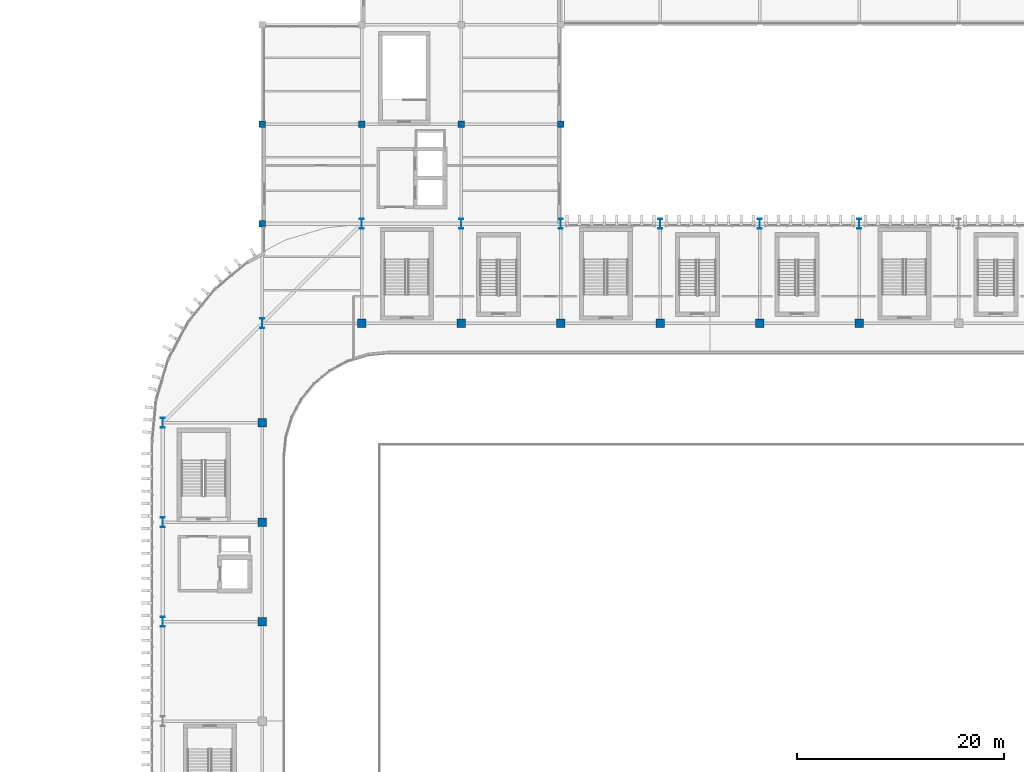
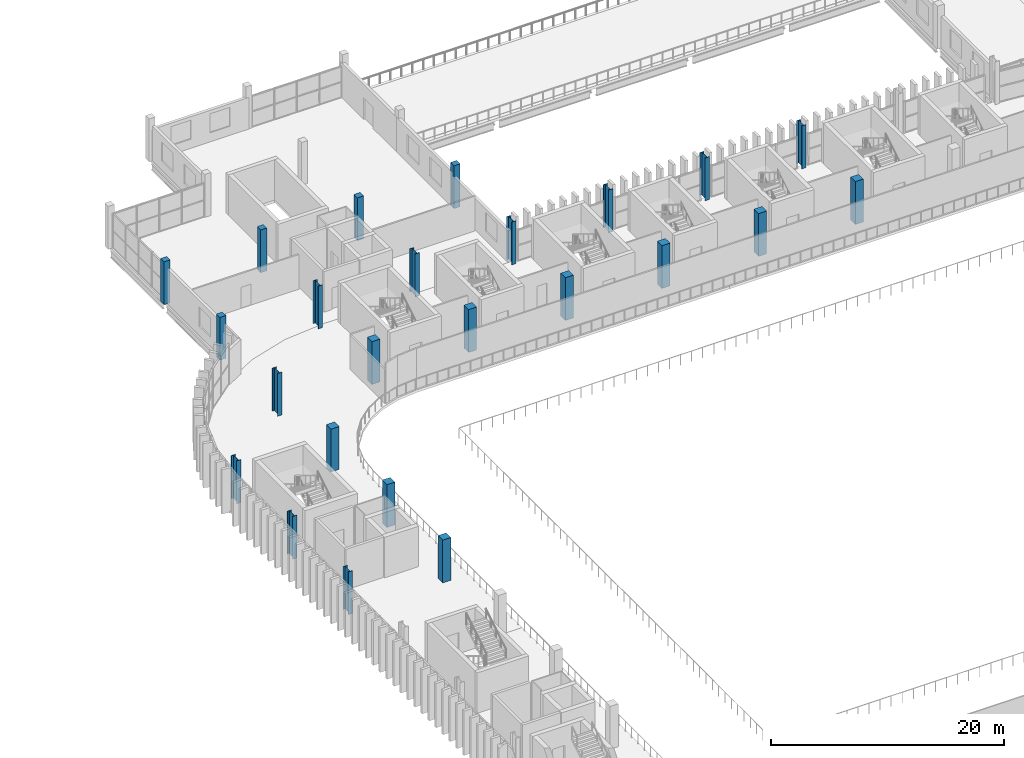
# One storey, part 2 of 75: 24 columns.
"""IFC4 building model written with IfcOpenShell, lengths in metres."""

import ifcopenshell
import ifcopenshell.guid

model = None  # the IFC model being written
_history = None  # IfcOwnerHistory: only IFC2X3 demands one
_inside = {}  # id of a spatial element -> (the spatial element, [elements in it])
_under = {}  # id of a project, library or spatial element -> (it, [spatial elements below it])
_declared = {}  # id of a project -> (the project, [libraries it declares])
_typed = {}  # id of a type object -> (the type object, [elements of that type])
_made_of = {}  # id of a material, layer set ... -> (it, [elements and type objects made of it])


def new_model(schema):
    """Start an empty IFC model of exactly this schema.

    Asked for "IFC4X3", IfcOpenShell would pick the latest addendum, in which some entities
    have other attributes; the version numbers below select the first issue.
    IFC2X3 requires an IfcOwnerHistory on every rooted entity: one is made here for all.
    """
    global model, _history
    if schema == "IFC4X3":
        model = ifcopenshell.file(schema_version=(4, 3, 0, 0))
    else:
        model = ifcopenshell.file(schema=schema)
    _inside.clear()
    _under.clear()
    _declared.clear()
    _typed.clear()
    _made_of.clear()
    _history = None
    if model.schema == "IFC2X3":
        org = make("IfcOrganization", Name="unknown")
        user = make(
            "IfcPersonAndOrganization",
            ThePerson=make("IfcPerson", FamilyName="unknown"),
            TheOrganization=org,
        )
        app = make(
            "IfcApplication",
            ApplicationDeveloper=org,
            Version="unknown",
            ApplicationFullName="unknown",
            ApplicationIdentifier="unknown",
        )
        _history = make(
            "IfcOwnerHistory",
            OwningUser=user,
            OwningApplication=app,
            ChangeAction="ADDED",
            CreationDate=0,
        )
    return model


def make(cls, **values):
    """One entity of the class cls with the attributes given. An attribute that is None is left unset."""
    return model.create_entity(
        cls, **{name: value for name, value in values.items() if value is not None}
    )


def rooted(cls, **values):
    """An entity with a GlobalId (a new one), such as an element, a storey or a relation."""
    return make(cls, GlobalId=ifcopenshell.guid.new(), OwnerHistory=_history, **values)


def si_unit(unit_type, name, prefix=None):
    """IfcSIUnit, for example si_unit("LENGTHUNIT", "METRE", prefix="MILLI")."""
    return make("IfcSIUnit", UnitType=unit_type, Prefix=prefix, Name=name)


def assignment(units):
    """IfcUnitAssignment: the units of a project."""
    return None if units is None else make("IfcUnitAssignment", Units=units)


def point(xyz):
    """IfcCartesianPoint."""
    return None if xyz is None else make("IfcCartesianPoint", Coordinates=xyz)


def direction(xyz):
    """IfcDirection."""
    return None if xyz is None else make("IfcDirection", DirectionRatios=xyz)


def frame(location, z_axis=None, x_axis=None):
    """IfcAxis2Placement3D, a coordinate frame: its origin and axes. An axis left out is left unset."""
    return make(
        "IfcAxis2Placement3D",
        Location=point(location),
        Axis=direction(z_axis),
        RefDirection=direction(x_axis),
    )


def frame_2d(location, x_axis=None):
    """IfcAxis2Placement2D, a coordinate frame in the plane: its origin and x axis."""
    return make(
        "IfcAxis2Placement2D", Location=point(location), RefDirection=direction(x_axis)
    )


def origin():
    """The frame at (0, 0, 0) with its axes left unset."""
    return frame((0.0, 0.0, 0.0))


def origin_2d():
    """The frame at (0, 0) in the plane with its x axis left unset."""
    return frame_2d((0.0, 0.0))


def place(relative_to, where):
    """IfcLocalPlacement: puts the frame where relative to a parent placement (None: the world)."""
    return make(
        "IfcLocalPlacement", PlacementRelTo=relative_to, RelativePlacement=where
    )


def context(
    kind, dimensions, precision=None, world=None, true_north=None, identifier=None
):
    """IfcGeometricRepresentationContext, for example the 3D "Model" context."""
    return make(
        "IfcGeometricRepresentationContext",
        ContextIdentifier=identifier,
        ContextType=kind,
        CoordinateSpaceDimension=dimensions,
        Precision=precision,
        WorldCoordinateSystem=world,
        TrueNorth=true_north,
    )


def subcontext(parent, identifier, kind, view, scale=None):
    """IfcGeometricRepresentationSubContext, for example "Body" below "Model"."""
    return make(
        "IfcGeometricRepresentationSubContext",
        ContextIdentifier=identifier,
        ContextType=kind,
        ParentContext=parent,
        TargetScale=scale,
        TargetView=view,
    )


def project(units=None, contexts=None):
    """IfcProject with its units and contexts."""
    return rooted(
        "IfcProject",
        Name="project",
        RepresentationContexts=contexts,
        UnitsInContext=assignment(units),
    )


def spatial(cls, under=None, at=None, **own):
    """A site, building, storey or space (cls), placed at a placement, below another one or the project."""
    s = rooted(cls, ObjectPlacement=at, **own)
    if under is not None:
        _under.setdefault(under.id(), (under, []))[1].append(s)
    return s


def profile(cls, at=None, kind="AREA", **sizes):
    """A parametric profile (cls). Its sizes go by their IFC names, for example OverallWidth=200.0."""
    return make(cls, ProfileType=kind, Position=at, **sizes)


def rectangle(**sizes):
    """IfcRectangleProfileDef."""
    return profile("IfcRectangleProfileDef", **sizes)


def i_section(**sizes):
    """IfcIShapeProfileDef."""
    return profile("IfcIShapeProfileDef", **sizes)


def extrude(swept, where, along, depth):
    """IfcExtrudedAreaSolid: the profile swept, set in the frame where, extruded along a direction by depth."""
    return make(
        "IfcExtrudedAreaSolid",
        SweptArea=swept,
        Position=where,
        ExtrudedDirection=direction(along),
        Depth=depth,
    )


def shape(context_of_items, identifier, shape_type, items):
    """IfcShapeRepresentation: the items that make up one representation, for example the "Body"."""
    return make(
        "IfcShapeRepresentation",
        ContextOfItems=context_of_items,
        RepresentationIdentifier=identifier,
        RepresentationType=shape_type,
        Items=items,
    )


def material(Name=None, Category=None):
    """IfcMaterial."""
    return make("IfcMaterial", Name=Name, Category=Category)


def material_profile(
    of_material, cross_section, Name=None, Category=None, Priority=None
):
    """IfcMaterialProfile: a cross section and its material."""
    return make(
        "IfcMaterialProfile",
        Name=Name,
        Material=of_material,
        Profile=cross_section,
        Priority=Priority,
        Category=Category,
    )


def profile_set(profiles, Name=None, composite=None):
    """IfcMaterialProfileSet."""
    return make(
        "IfcMaterialProfileSet",
        Name=Name,
        MaterialProfiles=profiles,
        CompositeProfile=composite,
    )


def made_of(thing, what):
    """Note that an element or type object is made of a material, layer set ...; save() writes the relation."""
    if what is not None:
        _made_of.setdefault(what.id(), (what, []))[1].append(thing)
    return thing


def type_object(cls, material=None, **own):
    """A type object (cls), such as IfcWallType, which elements share."""
    return made_of(rooted(cls, **own), material)


def element(
    cls,
    number,
    at=None,
    inside=None,
    cuts=None,
    type_object=None,
    material=None,
    context=None,
    identifier="Body",
    shape_type=None,
    held_by="IfcProductDefinitionShape",
    body=None,
    shapes=None,
    **own,
):
    """One element of the class cls, such as IfcWall. Its Tag is "e" and its number.

    at: its placement. inside: the storey or other place that contains it. cuts: it is an
    opening in that element (IfcRelVoidsElement). A single representation is given by context,
    identifier, shape_type and body (its items); several are given by shapes. held_by: the class
    of the entity that holds the representations. save() writes the other relations.
    """
    e = rooted(cls, Tag="e%d" % number, ObjectPlacement=at, **own)
    if body is not None:
        shapes = [shape(context, identifier, shape_type, body)]
    if shapes is not None:
        e.Representation = make(held_by, Representations=shapes)
    if inside is not None:
        _inside.setdefault(inside.id(), (inside, []))[1].append(e)
    if cuts is not None:
        rooted(
            "IfcRelVoidsElement", RelatingBuildingElement=cuts, RelatedOpeningElement=e
        )
    if type_object is not None:
        _typed.setdefault(type_object.id(), (type_object, []))[1].append(e)
    return made_of(e, material)


def aggregate(whole, parts):
    """IfcRelAggregates: a whole, such as a stair, and the parts it consists of."""
    return rooted("IfcRelAggregates", RelatingObject=whole, RelatedObjects=parts)


def save(model, path):
    """Write the relations noted so far, then the file.

    IfcRelAggregates (storeys below a building ...), IfcRelContainedInSpatialStructure (elements
    in a storey), IfcRelDefinesByType, IfcRelAssociatesMaterial and IfcRelDeclares: one each for
    every whole, place, type object, material and project.
    """
    for whole, parts in _under.values():
        aggregate(whole, parts)
    for where, things in _inside.values():
        rooted(
            "IfcRelContainedInSpatialStructure",
            RelatedElements=things,
            RelatingStructure=where,
        )
    for kind, things in _typed.values():
        rooted("IfcRelDefinesByType", RelatedObjects=things, RelatingType=kind)
    for what, things in _made_of.values():
        rooted("IfcRelAssociatesMaterial", RelatedObjects=things, RelatingMaterial=what)
    for by, libraries in _declared.values():
        rooted("IfcRelDeclares", RelatingContext=by, RelatedDefinitions=libraries)
    model.write(path)


model = new_model("IFC4")

# Units and contexts
model_context = context("Model", 3, precision=1e-05, world=origin(), true_north=direction((0.0, 1.0)))
body_context = subcontext(model_context, "Body", "Model", "MODEL_VIEW")
ifc_project = project(units=[si_unit("LENGTHUNIT", "METRE"), si_unit("AREAUNIT", "SQUARE_METRE"), si_unit("VOLUMEUNIT", "CUBIC_METRE"), si_unit("PLANEANGLEUNIT", "RADIAN"), si_unit("MASSUNIT", "GRAM", prefix="KILO")], contexts=[model_context])

# Site, building, storey
site_placement = place(None, origin())
site = spatial("IfcSite", under=ifc_project, at=site_placement, CompositionType="ELEMENT")
building_placement = place(site_placement, origin())
building = spatial("IfcBuilding", under=site, at=building_placement, Name="Caelomonte Colonnade Arena", CompositionType="ELEMENT")
storey_placement = place(building_placement, frame((0.0, 0.0, 14.10009765625)))
storey = spatial("IfcBuildingStorey", under=building, at=storey_placement, Name="L03", CompositionType="ELEMENT", Elevation=14.10009765625)

# Columns
ifc_material_1 = material(Name="Concrete C40/50", Category="concrete")
ifc_material_profile_1 = material_profile(ifc_material_1, rectangle(XDim=0.60009765625, YDim=0.60009765625, at=origin_2d()), Name="RC600X600")
ifc_profile_set_1 = profile_set([ifc_material_profile_1], Name="Concrete C40/50")
column_type_1 = type_object("IfcColumnType", Name="STR-COL-RC06", PredefinedType="COLUMN", material=ifc_profile_set_1)
for number, where, z_axis, x_axis, name in (
    (1, (67.199951171875, 115.199951171875, 0.0), (0.0, 0.0, 1.0), (1.0, 0.0, 0.0), "L03 column (67.2, 115.2)"),
    (2, (67.199951171875, 124.800048828125, 0.0), (0.0, 0.0, 1.0), (1.0, 0.0, 0.0), "L03 column (67.2, 124.8)"),
    (3, (76.800048828125, 124.800048828125, 0.0), (0.0, 0.0, 1.0), (1.0, 0.0, 0.0), "L03 column (76.8, 124.8)"),
    (4, (86.39990234375, 124.800048828125, 0.0), (0.0, 0.0, 1.0), (1.0, 0.0, 0.0), "L03 column (86.4, 124.8)"),
    (5, (96.0, 124.800048828125, 0.0), (0.0, 0.0, 1.0), (1.0, 0.0, 0.0), "L03 column (96.0, 124.8)"),
):
    element("IfcColumn", number, at=place(storey_placement, frame(where, z_axis=z_axis, x_axis=x_axis)), inside=storey, type_object=column_type_1, Name=name, PredefinedType="COLUMN", context=body_context, shape_type="SweptSolid", body=[
        extrude(rectangle(XDim=0.60009765625, YDim=0.60009765625, at=origin_2d()), origin(), (0.0, 0.0, 1.0), 4.5),
    ])
ifc_material_profile_2 = material_profile(ifc_material_1, rectangle(XDim=0.800048828125, YDim=0.800048828125, at=origin_2d()), Name="RC800X800")
ifc_profile_set_2 = profile_set([ifc_material_profile_2], Name="Concrete C40/50")
column_type_2 = type_object("IfcColumnType", Name="STR-COL-RC08", PredefinedType="COLUMN", material=ifc_profile_set_2)
for number, where, z_axis, x_axis, name in (
    (6, (67.199951171875, 76.800048828125, 0.0), (0.0, 0.0, 1.0), (1.0, 0.0, 0.0), "L03 column (67.2, 76.8)"),
    (7, (67.199951171875, 86.39990234375, 0.0), (0.0, 0.0, 1.0), (1.0, 0.0, 0.0), "L03 column (67.2, 86.4)"),
    (8, (67.199951171875, 96.0, 0.0), (0.0, 0.0, 1.0), (1.0, 0.0, 0.0), "L03 column (67.2, 96.0)"),
    (9, (76.800048828125, 105.60009765625, 0.0), (0.0, 0.0, 1.0), (1.0, 0.0, 0.0), "L03 column (76.8, 105.6)"),
    (10, (86.39990234375, 105.60009765625, 0.0), (0.0, 0.0, 1.0), (1.0, 0.0, 0.0), "L03 column (86.4, 105.6)"),
    (11, (96.0, 105.60009765625, 0.0), (0.0, 0.0, 1.0), (1.0, 0.0, 0.0), "L03 column (96.0, 105.6)"),
    (12, (105.60009765625, 105.60009765625, 0.0), (0.0, 0.0, 1.0), (1.0, 0.0, 0.0), "L03 column (105.6, 105.6)"),
    (13, (115.199951171875, 105.60009765625, 0.0), (0.0, 0.0, 1.0), (1.0, 0.0, 0.0), "L03 column (115.2, 105.6)"),
    (14, (124.800048828125, 105.60009765625, 0.0), (0.0, 0.0, 1.0), (1.0, 0.0, 0.0), "L03 column (124.8, 105.6)"),
):
    element("IfcColumn", number, at=place(storey_placement, frame(where, z_axis=z_axis, x_axis=x_axis)), inside=storey, type_object=column_type_2, Name=name, PredefinedType="COLUMN", context=body_context, shape_type="SweptSolid", body=[
        extrude(rectangle(XDim=0.800048828125, YDim=0.800048828125, at=origin_2d()), origin(), (0.0, 0.0, 1.0), 4.5),
    ])
ifc_material_2 = material(Name="Wide-flange steel ASTM A992 Grade 50", Category="steel")
ifc_material_profile_3 = material_profile(ifc_material_2, i_section(OverallWidth=0.423095703125, OverallDepth=0.947509765625, WebThickness=0.02392578125, FlangeThickness=0.042724609375, FilletRadius=0.024169921875, at=origin_2d()), Name="W36X302")
ifc_profile_set_3 = profile_set([ifc_material_profile_3], Name="Wide-flange steel ASTM A992 Grade 50")
column_type_3 = type_object("IfcColumnType", Name="STR-COL-W36A", PredefinedType="COLUMN", material=ifc_profile_set_3)
for number, where, z_axis, x_axis, name in (
    (15, (57.60009765625, 76.800048828125, 0.0), (0.0, 0.0, 1.0), (1.0, 0.0, 0.0), "L03 column (57.6, 76.8)"),
    (16, (57.60009765625, 86.39990234375, 0.0), (0.0, 0.0, 1.0), (1.0, 0.0, 0.0), "L03 column (57.6, 86.4)"),
    (17, (57.60009765625, 96.0, 0.0), (0.0, 0.0, 1.0), (1.0, 0.0, 0.0), "L03 column (57.6, 96.0)"),
    (18, (67.199951171875, 105.60009765625, 0.0), (0.0, 0.0, 1.0), (1.0, 0.0, 0.0), "L03 column (67.2, 105.6)"),
    (19, (76.800048828125, 115.199951171875, 0.0), (0.0, 0.0, 1.0), (1.0, 0.0, 0.0), "L03 column (76.8, 115.2)"),
    (20, (86.39990234375, 115.199951171875, 0.0), (0.0, 0.0, 1.0), (1.0, 0.0, 0.0), "L03 column (86.4, 115.2)"),
    (21, (96.0, 115.199951171875, 0.0), (0.0, 0.0, 1.0), (1.0, 0.0, 0.0), "L03 column (96.0, 115.2)"),
    (22, (105.60009765625, 115.199951171875, 0.0), (0.0, 0.0, 1.0), (1.0, 0.0, 0.0), "L03 column (105.6, 115.2)"),
    (23, (115.199951171875, 115.199951171875, 0.0), (0.0, 0.0, 1.0), (1.0, 0.0, 0.0), "L03 column (115.2, 115.2)"),
    (24, (124.800048828125, 115.199951171875, 0.0), (0.0, 0.0, 1.0), (1.0, 0.0, 0.0), "L03 column (124.8, 115.2)"),
):
    element("IfcColumn", number, at=place(storey_placement, frame(where, z_axis=z_axis, x_axis=x_axis)), inside=storey, type_object=column_type_3, Name=name, PredefinedType="COLUMN", context=body_context, shape_type="SweptSolid", body=[
        extrude(i_section(OverallWidth=0.423095703125, OverallDepth=0.947509765625, WebThickness=0.02392578125, FlangeThickness=0.042724609375, FilletRadius=0.024169921875, at=origin_2d()), origin(), (0.0, 0.0, 1.0), 4.5),
    ])

save(model, "model.ifc")
